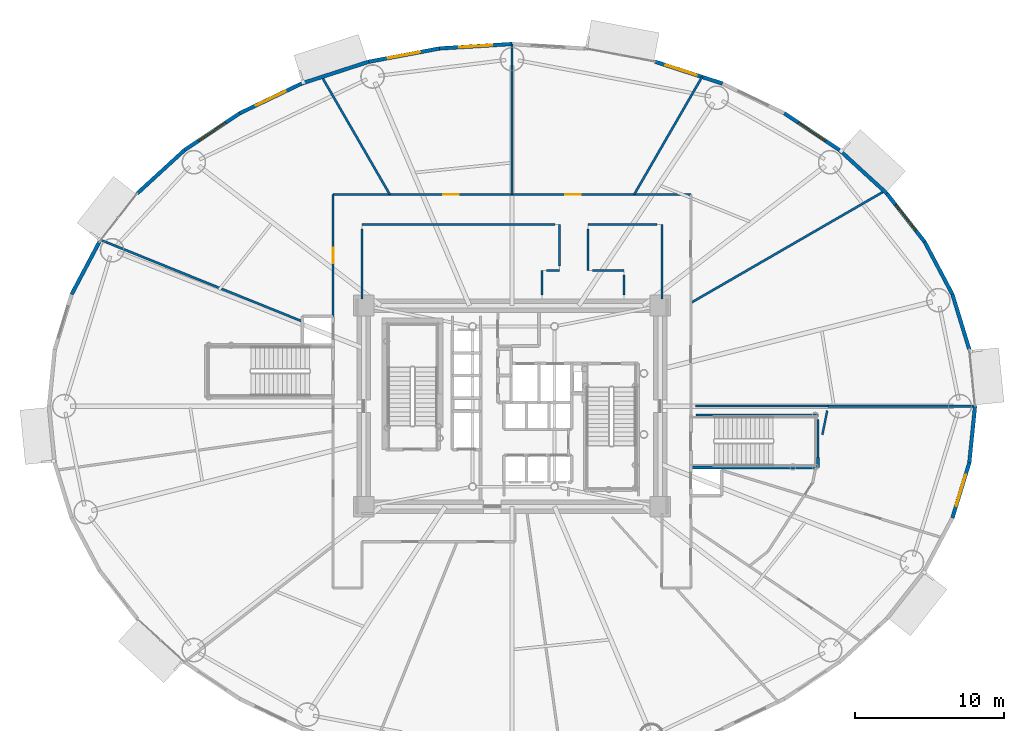
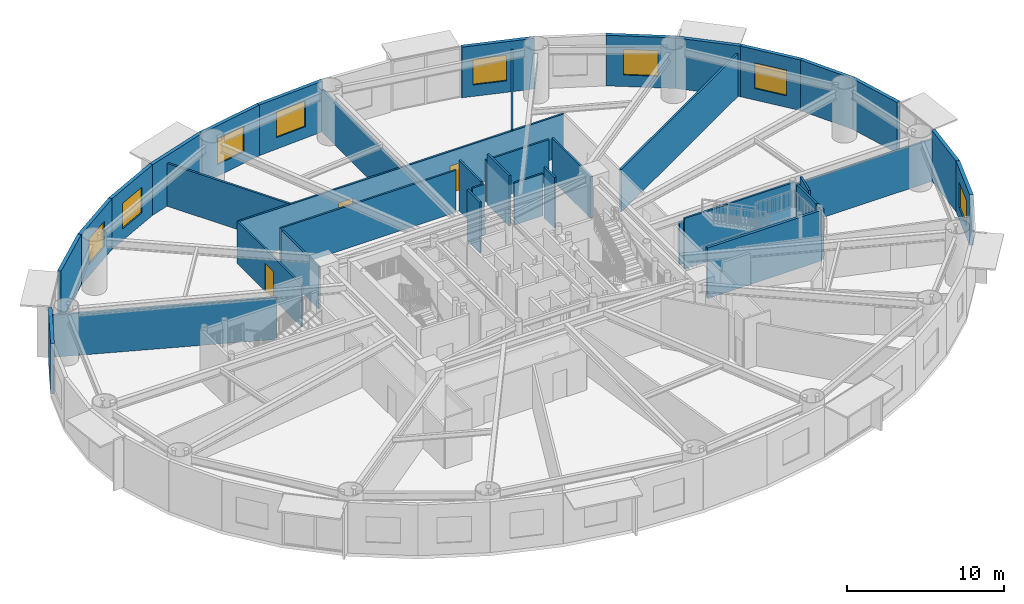
# One storey, part 19 of 32: 39 walls, 8 windows, 3 doors, 11 openings.
"""IFC4 building model written with IfcOpenShell, lengths in metres."""

from ifc_helpers import new_model, si_unit, direction, frame, frame_2d, origin, origin_2d, place, context, subcontext, project, spatial, rectangle, extrude, source, transform, mapped, material, layer, layer_set, type_object, element, fill, save


model = new_model("IFC4")

# Units and contexts
model_context = context("Model", 3, precision=1e-05, world=origin(), true_north=direction((0.0, 1.0)))
body_context = subcontext(model_context, "Body", "Model", "MODEL_VIEW")
ifc_project = project(units=[si_unit("LENGTHUNIT", "METRE"), si_unit("AREAUNIT", "SQUARE_METRE"), si_unit("VOLUMEUNIT", "CUBIC_METRE"), si_unit("PLANEANGLEUNIT", "RADIAN"), si_unit("MASSUNIT", "GRAM", prefix="KILO")], contexts=[model_context])

# Site, building, storey
site_placement = place(None, origin())
site = spatial("IfcSite", under=ifc_project, at=site_placement, CompositionType="ELEMENT")
building_placement = place(site_placement, origin())
building = spatial("IfcBuilding", under=site, at=building_placement, Name="Linh Dai School and Residence Tower", CompositionType="ELEMENT")
storey_placement = place(building_placement, frame((0.0, 0.0, 40.800048828125)))
storey = spatial("IfcBuildingStorey", under=building, at=storey_placement, Name="L09", CompositionType="ELEMENT", Elevation=40.800048828125)

# Walls
ifc_material_1 = material(Name="Precast Concrete B45 (C35/45)", Category="concrete")
ifc_layer_1 = layer(ifc_material_1, 0.25)
ifc_layer_set_1 = layer_set([ifc_layer_1], Name="Precast Concrete B45 (C35/45)")
wall_type_1 = type_object("IfcWallType", Name="EW-TC-250", PredefinedType="SOLIDWALL", material=ifc_layer_set_1)
wall_1_placement = place(storey_placement, frame((65.5576171875, 34.50146484375, 0.0), z_axis=(0.0, 0.0, 1.0), x_axis=(0.293111631758, -0.956078224482, 0.0)))
element("IfcWall", 1, at=wall_1_placement, inside=storey, type_object=wall_type_1, Name="L09 Terracotta Exterior Wall 02", PredefinedType="SOLIDWALL", context=body_context, shape_type="SweptSolid", body=[
    extrude(rectangle(XDim=3.874755859375, YDim=0.25, at=frame_2d((1.9375, 0.0))), origin(), (0.0, 0.0, 1.0), 3.949951171875),
])
wall_2_placement = place(storey_placement, frame((63.694580078125, 38.022705078125, 0.0), z_axis=(0.0, 0.0, 1.0), x_axis=(0.467662443071, -0.883907144072, 0.0)))
element("IfcWall", 2, at=wall_2_placement, inside=storey, type_object=wall_type_1, Name="L09 Terracotta Exterior Wall 03", PredefinedType="SOLIDWALL", context=body_context, shape_type="SweptSolid", body=[
    extrude(rectangle(XDim=3.983642578125, YDim=0.25, at=frame_2d((1.99169921875, 0.0))), origin(), (0.0, 0.0, 1.0), 3.949951171875),
])

# Wall, opening, window
wall_3_placement = place(storey_placement, frame((61.149658203125, 41.274658203125, 0.0), z_axis=(0.0, 0.0, 1.0), x_axis=(0.616295508253, -0.787514981767, 0.0)))
wall_3 = element("IfcWall", 3, at=wall_3_placement, inside=storey, type_object=wall_type_1, Name="L09 Terracotta Exterior Wall 04", PredefinedType="SOLIDWALL", context=body_context, shape_type="SweptSolid", body=[
    extrude(rectangle(XDim=4.12939453125, YDim=0.25, at=frame_2d((2.064697265625, 0.0))), origin(), (0.0, 0.0, 1.0), 3.949951171875),
])
opening_1_placement = place(wall_3_placement, frame((0.964599609375, 0.0, 0.89990234375)))
opening_1 = element("IfcOpeningElement", 4, at=opening_1_placement, cuts=wall_3, Name="Opening W4", PredefinedType="OPENING", context=body_context, shape_type="SweptSolid", body=[
    extrude(rectangle(XDim=2.199951171875, YDim=2.0, at=origin_2d()), frame((1.10009765625, 0.135009765625, 1.0), z_axis=(0.0, -1.0, 0.0), x_axis=(1.0, 0.0, 0.0)), (0.0, 0.0, 1.0), 0.27001953125),
])
ifc_material_2 = material(Name="Acoustic Laminated Low-E Glazing", Category="glass")
window_type = type_object("IfcWindowType", Name="WN-SCH-2200x2000", PartitioningType="TRIPLE_PANEL_VERTICAL", PredefinedType="WINDOW", material=ifc_material_2)
shared_shape_1 = source(origin(), body_context, "Body", "SweptSolid", [
    extrude(rectangle(XDim=2.199951171875, YDim=2.0, at=origin_2d()), frame((1.10009765625, 0.030029296875, 1.0), z_axis=(0.0, -1.0, 0.0), x_axis=(1.0, 0.0, 0.0)), (0.0, 0.0, 1.0), 0.06005859375),
])
window_1_placement = place(opening_1_placement, origin())
window_1 = element("IfcWindow", 5, at=window_1_placement, inside=storey, type_object=window_type, Name="L09 Exterior Window 04.1", OverallHeight=2.0, OverallWidth=2.199951171875, PartitioningType="TRIPLE_PANEL_VERTICAL", PredefinedType="WINDOW", context=body_context, shape_type="MappedRepresentation", body=[
    mapped(shared_shape_1, transform((0.0, 0.0, 0.0), x_axis=(1.0, 0.0, 0.0), y_axis=(0.0, 1.0, 0.0), z_axis=(0.0, 0.0, 1.0), scale=1.0)),
])
fill(opening_1, window_1)

# Wall
wall_4_placement = place(storey_placement, frame((57.984619140625, 44.17626953125, 0.0), z_axis=(0.0, 0.0, 1.0), x_axis=(0.737116376281, -0.67576582321, 0.0)))
element("IfcWall", 6, at=wall_4_placement, inside=storey, type_object=wall_type_1, Name="L09 Terracotta Exterior Wall 05", PredefinedType="SOLIDWALL", context=body_context, shape_type="SweptSolid", body=[
    extrude(rectangle(XDim=4.293701171875, YDim=0.25, at=frame_2d((2.14697265625, 0.0))), origin(), (0.0, 0.0, 1.0), 3.949951171875),
])

# Wall, opening, window
wall_5_placement = place(storey_placement, frame((54.277099609375, 46.65576171875, 0.0), z_axis=(0.0, 0.0, 1.0), x_axis=(0.831240982525, -0.555912249343, 0.0)))
wall_5 = element("IfcWall", 7, at=wall_5_placement, inside=storey, type_object=wall_type_1, Name="L09 Terracotta Exterior Wall 06", PredefinedType="SOLIDWALL", context=body_context, shape_type="SweptSolid", body=[
    extrude(rectangle(XDim=4.460205078125, YDim=0.25, at=frame_2d((2.22998046875, 0.0))), origin(), (0.0, 0.0, 1.0), 3.949951171875),
])
opening_2_placement = place(wall_5_placement, frame((1.1298828125, 0.0, 0.89990234375)))
opening_2 = element("IfcOpeningElement", 8, at=opening_2_placement, cuts=wall_5, Name="Opening W4", PredefinedType="OPENING", context=body_context, shape_type="SweptSolid", body=[
    extrude(rectangle(XDim=2.199951171875, YDim=2.0, at=origin_2d()), frame((1.10009765625, 0.135009765625, 1.0), z_axis=(0.0, -1.0, 0.0), x_axis=(1.0, 0.0, 0.0)), (0.0, 0.0, 1.0), 0.27001953125),
])
window_2_placement = place(opening_2_placement, origin())
window_2 = element("IfcWindow", 9, at=window_2_placement, inside=storey, type_object=window_type, Name="L09 Exterior Window 06.1", OverallHeight=2.0, OverallWidth=2.199951171875, PartitioningType="TRIPLE_PANEL_VERTICAL", PredefinedType="WINDOW", context=body_context, shape_type="MappedRepresentation", body=[
    mapped(shared_shape_1, transform((0.0, 0.0, 0.0), x_axis=(1.0, 0.0, 0.0), y_axis=(0.0, 1.0, 0.0), z_axis=(0.0, 0.0, 1.0), scale=1.0)),
])
fill(opening_2, window_2)

wall_6_placement = place(storey_placement, frame((45.610595703125, 50.11328125, 0.0), z_axis=(0.0, 0.0, 1.0), x_axis=(0.951207699013, -0.308551313946, 0.0)))
wall_6 = element("IfcWall", 10, at=wall_6_placement, inside=storey, type_object=wall_type_1, Name="L09 Terracotta Exterior Wall 08", PredefinedType="SOLIDWALL", context=body_context, shape_type="SweptSolid", body=[
    extrude(rectangle(XDim=4.73876953125, YDim=0.25, at=frame_2d((2.369384765625, 0.0))), origin(), (0.0, 0.0, 1.0), 3.949951171875),
])
opening_3_placement = place(wall_6_placement, frame((0.73388671875, 0.0, 0.89990234375)))
opening_3 = element("IfcOpeningElement", 11, at=opening_3_placement, cuts=wall_6, Name="Opening W4", PredefinedType="OPENING", context=body_context, shape_type="SweptSolid", body=[
    extrude(rectangle(XDim=2.199951171875, YDim=2.0, at=origin_2d()), frame((1.10009765625, 0.135009765625, 1.0), z_axis=(0.0, -1.0, 0.0), x_axis=(1.0, 0.0, 0.0)), (0.0, 0.0, 1.0), 0.27001953125),
])
window_3_placement = place(opening_3_placement, origin())
window_3 = element("IfcWindow", 12, at=window_3_placement, inside=storey, type_object=window_type, Name="L09 Exterior Window 08.1", OverallHeight=2.0, OverallWidth=2.199951171875, PartitioningType="TRIPLE_PANEL_VERTICAL", PredefinedType="WINDOW", context=body_context, shape_type="MappedRepresentation", body=[
    mapped(shared_shape_1, transform((0.0, 0.0, 0.0), x_axis=(1.0, 0.0, 0.0), y_axis=(0.0, 1.0, 0.0), z_axis=(0.0, 0.0, 1.0), scale=1.0)),
])
fill(opening_3, window_3)

wall_7_placement = place(storey_placement, frame((31.134521484375, 51.005126953125, 0.0), z_axis=(0.0, 0.0, 1.0), x_axis=(0.998106954071, 0.061502099433, 0.0)))
wall_7 = element("IfcWall", 13, at=wall_7_placement, inside=storey, type_object=wall_type_1, Name="L09 Terracotta Exterior Wall 11", PredefinedType="SOLIDWALL", context=body_context, shape_type="SweptSolid", body=[
    extrude(rectangle(XDim=4.874755859375, YDim=0.25, at=frame_2d((2.4375, 0.0))), origin(), (0.0, 0.0, 1.0), 3.949951171875),
])
opening_4_placement = place(wall_7_placement, frame((1.33740234375, 0.0, 0.89990234375)))
opening_4 = element("IfcOpeningElement", 14, at=opening_4_placement, cuts=wall_7, Name="Opening W4", PredefinedType="OPENING", context=body_context, shape_type="SweptSolid", body=[
    extrude(rectangle(XDim=2.199951171875, YDim=2.0, at=origin_2d()), frame((1.10009765625, 0.135009765625, 1.0), z_axis=(0.0, -1.0, 0.0), x_axis=(1.0, 0.0, 0.0)), (0.0, 0.0, 1.0), 0.27001953125),
])
window_4_placement = place(opening_4_placement, origin())
window_4 = element("IfcWindow", 15, at=window_4_placement, inside=storey, type_object=window_type, Name="L09 Exterior Window 11.1", OverallHeight=2.0, OverallWidth=2.199951171875, PartitioningType="TRIPLE_PANEL_VERTICAL", PredefinedType="WINDOW", context=body_context, shape_type="MappedRepresentation", body=[
    mapped(shared_shape_1, transform((0.0, 0.0, 0.0), x_axis=(1.0, 0.0, 0.0), y_axis=(0.0, 1.0, 0.0), z_axis=(0.0, 0.0, 1.0), scale=1.0)),
])
fill(opening_4, window_4)

wall_8_placement = place(storey_placement, frame((26.389404296875, 50.11328125, 0.0), z_axis=(0.0, 0.0, 1.0), x_axis=(0.982791952378, 0.184715939598, 0.0)))
wall_8 = element("IfcWall", 16, at=wall_8_placement, inside=storey, type_object=wall_type_1, Name="L09 Terracotta Exterior Wall 12", PredefinedType="SOLIDWALL", context=body_context, shape_type="SweptSolid", body=[
    extrude(rectangle(XDim=4.828125, YDim=0.25, at=frame_2d((2.4140625, 0.0))), origin(), (0.0, 0.0, 1.0), 3.949951171875),
])
opening_5_placement = place(wall_8_placement, frame((1.314208984375, 0.0, 0.89990234375)))
opening_5 = element("IfcOpeningElement", 17, at=opening_5_placement, cuts=wall_8, Name="Opening W4", PredefinedType="OPENING", context=body_context, shape_type="SweptSolid", body=[
    extrude(rectangle(XDim=2.199951171875, YDim=2.0, at=origin_2d()), frame((1.10009765625, 0.135009765625, 1.0), z_axis=(0.0, -1.0, 0.0), x_axis=(1.0, 0.0, 0.0)), (0.0, 0.0, 1.0), 0.27001953125),
])
window_5_placement = place(opening_5_placement, origin())
window_5 = element("IfcWindow", 18, at=window_5_placement, inside=storey, type_object=window_type, Name="L09 Exterior Window 12.1", OverallHeight=2.0, OverallWidth=2.199951171875, PartitioningType="TRIPLE_PANEL_VERTICAL", PredefinedType="WINDOW", context=body_context, shape_type="MappedRepresentation", body=[
    mapped(shared_shape_1, transform((0.0, 0.0, 0.0), x_axis=(1.0, 0.0, 0.0), y_axis=(0.0, 1.0, 0.0), z_axis=(0.0, 0.0, 1.0), scale=1.0)),
])
fill(opening_5, window_5)

# Wall
wall_9_placement = place(storey_placement, frame((21.8818359375, 48.651123046875, 0.0), z_axis=(0.0, 0.0, 1.0), x_axis=(0.951207699013, 0.308551313946, 0.0)))
element("IfcWall", 19, at=wall_9_placement, inside=storey, type_object=wall_type_1, Name="L09 Terracotta Exterior Wall 13", PredefinedType="SOLIDWALL", context=body_context, shape_type="SweptSolid", body=[
    extrude(rectangle(XDim=4.73876953125, YDim=0.25, at=frame_2d((2.369384765625, 0.0))), origin(), (0.0, 0.0, 1.0), 3.949951171875),
])

# Wall, opening, window
wall_10_placement = place(storey_placement, frame((17.722900390625, 46.65576171875, 0.0), z_axis=(0.0, 0.0, 1.0), x_axis=(0.901601503137, 0.432567601123, 0.0)))
wall_10 = element("IfcWall", 20, at=wall_10_placement, inside=storey, type_object=wall_type_1, Name="L09 Terracotta Exterior Wall 14", PredefinedType="SOLIDWALL", context=body_context, shape_type="SweptSolid", body=[
    extrude(rectangle(XDim=4.61279296875, YDim=0.25, at=frame_2d((2.306396484375, 0.0))), origin(), (0.0, 0.0, 1.0), 3.949951171875),
])
opening_6_placement = place(wall_10_placement, frame((1.20654296875, 0.0, 0.89990234375)))
opening_6 = element("IfcOpeningElement", 21, at=opening_6_placement, cuts=wall_10, Name="Opening W4", PredefinedType="OPENING", context=body_context, shape_type="SweptSolid", body=[
    extrude(rectangle(XDim=2.199951171875, YDim=2.0, at=origin_2d()), frame((1.10009765625, 0.135009765625, 1.0), z_axis=(0.0, -1.0, 0.0), x_axis=(1.0, 0.0, 0.0)), (0.0, 0.0, 1.0), 0.27001953125),
])
window_6_placement = place(opening_6_placement, origin())
window_6 = element("IfcWindow", 22, at=window_6_placement, inside=storey, type_object=window_type, Name="L09 Exterior Window 14.1", OverallHeight=2.0, OverallWidth=2.199951171875, PartitioningType="TRIPLE_PANEL_VERTICAL", PredefinedType="WINDOW", context=body_context, shape_type="MappedRepresentation", body=[
    mapped(shared_shape_1, transform((0.0, 0.0, 0.0), x_axis=(1.0, 0.0, 0.0), y_axis=(0.0, 1.0, 0.0), z_axis=(0.0, 0.0, 1.0), scale=1.0)),
])
fill(opening_6, window_6)

wall_11_placement = place(storey_placement, frame((14.015380859375, 44.17626953125, 0.0), z_axis=(0.0, 0.0, 1.0), x_axis=(0.831240982525, 0.555912249343, 0.0)))
wall_11 = element("IfcWall", 23, at=wall_11_placement, inside=storey, type_object=wall_type_1, Name="L09 Terracotta Exterior Wall 15", PredefinedType="SOLIDWALL", context=body_context, shape_type="SweptSolid", body=[
    extrude(rectangle(XDim=4.460205078125, YDim=0.25, at=frame_2d((2.22998046875, 0.0))), origin(), (0.0, 0.0, 1.0), 3.949951171875),
])
opening_7_placement = place(wall_11_placement, frame((1.13037109375, 0.0, 0.89990234375)))
opening_7 = element("IfcOpeningElement", 24, at=opening_7_placement, cuts=wall_11, Name="Opening W4", PredefinedType="OPENING", context=body_context, shape_type="SweptSolid", body=[
    extrude(rectangle(XDim=2.199951171875, YDim=2.0, at=origin_2d()), frame((1.10009765625, 0.135009765625, 1.0), z_axis=(0.0, -1.0, 0.0), x_axis=(1.0, 0.0, 0.0)), (0.0, 0.0, 1.0), 0.27001953125),
])
window_7_placement = place(opening_7_placement, origin())
window_7 = element("IfcWindow", 25, at=window_7_placement, inside=storey, type_object=window_type, Name="L09 Exterior Window 15.1", OverallHeight=2.0, OverallWidth=2.199951171875, PartitioningType="TRIPLE_PANEL_VERTICAL", PredefinedType="WINDOW", context=body_context, shape_type="MappedRepresentation", body=[
    mapped(shared_shape_1, transform((0.0, 0.0, 0.0), x_axis=(1.0, 0.0, 0.0), y_axis=(0.0, 1.0, 0.0), z_axis=(0.0, 0.0, 1.0), scale=1.0)),
])
fill(opening_7, window_7)

# Walls
wall_12_placement = place(storey_placement, frame((10.850341796875, 41.274658203125, 0.0), z_axis=(0.0, 0.0, 1.0), x_axis=(0.737116376281, 0.67576582321, 0.0)))
element("IfcWall", 26, at=wall_12_placement, inside=storey, type_object=wall_type_1, Name="L09 Terracotta Exterior Wall 16", PredefinedType="SOLIDWALL", context=body_context, shape_type="SweptSolid", body=[
    extrude(rectangle(XDim=4.293701171875, YDim=0.25, at=frame_2d((2.14697265625, 0.0))), origin(), (0.0, 0.0, 1.0), 3.949951171875),
])
wall_13_placement = place(storey_placement, frame((6.4423828125, 34.50146484375, 0.0), z_axis=(0.0, 0.0, 1.0), x_axis=(0.467662443071, 0.883907144072, 0.0)))
element("IfcWall", 27, at=wall_13_placement, inside=storey, type_object=wall_type_1, Name="L09 Terracotta Exterior Wall 18", PredefinedType="SOLIDWALL", context=body_context, shape_type="SweptSolid", body=[
    extrude(rectangle(XDim=3.983642578125, YDim=0.25, at=frame_2d((1.99169921875, 0.0))), origin(), (0.0, 0.0, 1.0), 3.949951171875),
])

# Wall, opening, window
wall_14_placement = place(storey_placement, frame((66.693359375, 23.203125, 0.0), z_axis=(0.0, 0.0, 1.0), x_axis=(-0.293111631758, -0.956078224482, 0.0)))
wall_14 = element("IfcWall", 28, at=wall_14_placement, inside=storey, type_object=wall_type_1, Name="L09 Terracotta Exterior Wall 39", PredefinedType="SOLIDWALL", context=body_context, shape_type="SweptSolid", body=[
    extrude(rectangle(XDim=3.874755859375, YDim=0.25, at=frame_2d((1.9375, 0.0))), origin(), (0.0, 0.0, 1.0), 3.949951171875),
])
opening_8_placement = place(wall_14_placement, frame((0.83740234375, 0.0, 0.89990234375)))
opening_8 = element("IfcOpeningElement", 29, at=opening_8_placement, cuts=wall_14, Name="Opening W4", PredefinedType="OPENING", context=body_context, shape_type="SweptSolid", body=[
    extrude(rectangle(XDim=2.199951171875, YDim=2.0, at=origin_2d()), frame((1.10009765625, 0.135009765625, 1.0), z_axis=(0.0, -1.0, 0.0), x_axis=(1.0, 0.0, 0.0)), (0.0, 0.0, 1.0), 0.27001953125),
])
window_8_placement = place(opening_8_placement, origin())
window_8 = element("IfcWindow", 30, at=window_8_placement, inside=storey, type_object=window_type, Name="L09 Exterior Window 39.1", OverallHeight=2.0, OverallWidth=2.199951171875, PartitioningType="TRIPLE_PANEL_VERTICAL", PredefinedType="WINDOW", context=body_context, shape_type="MappedRepresentation", body=[
    mapped(shared_shape_1, transform((0.0, 0.0, 0.0), x_axis=(1.0, 0.0, 0.0), y_axis=(0.0, 1.0, 0.0), z_axis=(0.0, 0.0, 1.0), scale=1.0)),
])
fill(opening_8, window_8)

# Wall
wall_15_placement = place(storey_placement, frame((67.074951171875, 27.0, 0.0), z_axis=(0.0, 0.0, 1.0), x_axis=(-0.099997795174, -0.994987658698, 0.0)))
element("IfcWall", 31, at=wall_15_placement, inside=storey, type_object=wall_type_1, Name="L09 Terracotta Exterior Wall 40", PredefinedType="SOLIDWALL", context=body_context, shape_type="SweptSolid", body=[
    extrude(rectangle(XDim=3.81591796875, YDim=0.25, at=frame_2d((1.907958984375, 0.0))), origin(), (0.0, 0.0, 1.0), 3.949951171875),
])

# Wall, opening, door
ifc_material_3 = material(Name="Autoclaved Aerated Concrete Blockwork", Category="masonry")
ifc_layer_2 = layer(ifc_material_3, 0.135009765625)
ifc_layer_set_2 = layer_set([ifc_layer_2], Name="Autoclaved Aerated Concrete Blockwork")
wall_type_2 = type_object("IfcWallType", Name="IW-CORR-135-EI90", PredefinedType="PARTITIONING", material=ifc_layer_set_2)
wall_16_placement = place(storey_placement, frame((24.0, 33.010009765625, 0.0), z_axis=(0.0, 0.0, 1.0), x_axis=(0.0, 1.0, 0.0)))
wall_16 = element("IfcWall", 32, at=wall_16_placement, inside=storey, type_object=wall_type_2, Name="L09 Interior Partition Wall 013", PredefinedType="PARTITIONING", context=body_context, shape_type="SweptSolid", body=[
    extrude(rectangle(XDim=8.18994140625, YDim=0.135009765625, at=frame_2d((4.094970703125, 0.0))), origin(), (0.0, 0.0, 1.0), 3.284912109375),
])
opening_9_placement = place(wall_16_placement, frame((3.570068359375, 0.0, 0.0)))
opening_9 = element("IfcOpeningElement", 33, at=opening_9_placement, cuts=wall_16, Name="Opening D04", PredefinedType="OPENING", context=body_context, shape_type="SweptSolid", body=[
    extrude(rectangle(XDim=1.050048828125, YDim=2.14990234375, at=origin_2d()), frame((0.52490234375, 0.07763671875, 1.074951171875), z_axis=(0.0, -1.0, 0.0), x_axis=(1.0, 0.0, 0.0)), (0.0, 0.0, 1.0), 0.155029296875),
])
ifc_material_4 = material(Name="Acoustic Vision-Panel Timber Classroom Door", Category="wood")
door_type = type_object("IfcDoorType", Name="DR-SCH-1050x2150-FD60S", OperationType="NOTDEFINED", PredefinedType="DOOR", material=ifc_material_4)
shared_shape_2 = source(origin(), body_context, "Body", "SweptSolid", [
    extrude(rectangle(XDim=1.050048828125, YDim=2.14990234375, at=origin_2d()), frame((0.52490234375, 0.02490234375, 1.074951171875), z_axis=(0.0, -1.0, 0.0), x_axis=(1.0, 0.0, 0.0)), (0.0, 0.0, 1.0), 0.050048828125),
])
door_1_placement = place(opening_9_placement, origin())
door_1 = element("IfcDoor", 34, at=door_1_placement, inside=storey, type_object=door_type, Name="L09 Fine Art Painting Studio Door", OperationType="SINGLE_SWING_LEFT", OverallHeight=2.14990234375, OverallWidth=1.050048828125, PredefinedType="DOOR", context=body_context, shape_type="MappedRepresentation", body=[
    mapped(shared_shape_2, transform((0.0, 0.0, 0.0), x_axis=(1.0, 0.0, 0.0), y_axis=(0.0, 1.0, 0.0), z_axis=(0.0, 0.0, 1.0), scale=1.0)),
])
fill(opening_9, door_1)

# Wall, openings, doors
wall_17_placement = place(storey_placement, frame((24.0, 41.199951171875, 0.0), z_axis=(0.0, 0.0, 1.0), x_axis=(1.0, 0.0, 0.0)))
wall_17 = element("IfcWall", 35, at=wall_17_placement, inside=storey, type_object=wall_type_2, Name="L09 Interior Partition Wall 014", PredefinedType="PARTITIONING", context=body_context, shape_type="SweptSolid", body=[
    extrude(rectangle(XDim=24.0, YDim=0.135009765625, at=frame_2d((12.0, 0.0))), origin(), (0.0, 0.0, 1.0), 3.284912109375),
])
opening_10_placement = place(wall_17_placement, frame((15.57421875, 0.0, 0.0)))
opening_10 = element("IfcOpeningElement", 36, at=opening_10_placement, cuts=wall_17, Name="Opening D04", PredefinedType="OPENING", context=body_context, shape_type="SweptSolid", body=[
    extrude(rectangle(XDim=1.050048828125, YDim=2.14990234375, at=origin_2d()), frame((0.52490234375, 0.07763671875, 1.074951171875), z_axis=(0.0, -1.0, 0.0), x_axis=(1.0, 0.0, 0.0)), (0.0, 0.0, 1.0), 0.155029296875),
])
opening_11_placement = place(wall_17_placement, frame((7.375732421875, 0.0, 0.0)))
opening_11 = element("IfcOpeningElement", 37, at=opening_11_placement, cuts=wall_17, Name="Opening D04", PredefinedType="OPENING", context=body_context, shape_type="SweptSolid", body=[
    extrude(rectangle(XDim=1.050048828125, YDim=2.14990234375, at=origin_2d()), frame((0.52490234375, 0.07763671875, 1.074951171875), z_axis=(0.0, -1.0, 0.0), x_axis=(1.0, 0.0, 0.0)), (0.0, 0.0, 1.0), 0.155029296875),
])
door_2_placement = place(opening_10_placement, origin())
door_2 = element("IfcDoor", 38, at=door_2_placement, inside=storey, type_object=door_type, Name="L09 Secondary Classroom 3 Door", OperationType="SINGLE_SWING_LEFT", OverallHeight=2.14990234375, OverallWidth=1.050048828125, PredefinedType="DOOR", context=body_context, shape_type="MappedRepresentation", body=[
    mapped(shared_shape_2, transform((0.0, 0.0, 0.0), x_axis=(1.0, 0.0, 0.0), y_axis=(0.0, 1.0, 0.0), z_axis=(0.0, 0.0, 1.0), scale=1.0)),
])
fill(opening_10, door_2)
door_3_placement = place(opening_11_placement, origin())
door_3 = element("IfcDoor", 39, at=door_3_placement, inside=storey, type_object=door_type, Name="L09 Secondary Classroom 4 Door", OperationType="SINGLE_SWING_RIGHT", OverallHeight=2.14990234375, OverallWidth=1.050048828125, PredefinedType="DOOR", context=body_context, shape_type="MappedRepresentation", body=[
    mapped(shared_shape_2, transform((0.0, 0.0, 0.0), x_axis=(1.0, 0.0, 0.0), y_axis=(0.0, 1.0, 0.0), z_axis=(0.0, 0.0, 1.0), scale=1.0)),
])
fill(opening_11, door_3)

# Walls
wall_18_placement = place(storey_placement, frame((48.360107421875, 26.419921875, 0.0), z_axis=(0.0, 0.0, 1.0), x_axis=(1.0, 0.0, 0.0)))
element("IfcWall", 40, at=wall_18_placement, inside=storey, type_object=wall_type_2, Name="L09 Interior Partition Wall 085", PredefinedType="PARTITIONING", context=body_context, shape_type="SweptSolid", body=[
    extrude(rectangle(XDim=8.159912109375, YDim=0.135009765625, at=frame_2d((4.080078125, 0.0))), origin(), (0.0, 0.0, 1.0), 3.949951171875),
])
wall_19_placement = place(storey_placement, frame((56.52001953125, 26.112548828125, 0.0), z_axis=(0.0, 0.0, 1.0), x_axis=(0.0, -1.0, 0.0)))
element("IfcWall", 41, at=wall_19_placement, inside=storey, type_object=wall_type_2, Name="L09 Interior Partition Wall 086", PredefinedType="PARTITIONING", context=body_context, shape_type="SweptSolid", body=[
    extrude(rectangle(XDim=2.54345703125, YDim=0.135009765625, at=frame_2d((1.271728515625, 0.0))), origin(), (0.0, 0.0, 1.0), 3.949951171875),
])
wall_20_placement = place(storey_placement, frame((46.050048828125, 34.199951171875, 0.0), z_axis=(0.0, 0.0, 1.0), x_axis=(0.0, 1.0, 0.0)))
element("IfcWall", 42, at=wall_20_placement, inside=storey, type_object=wall_type_2, Name="L09 Interior Partition Wall 091", PredefinedType="PARTITIONING", context=body_context, shape_type="SweptSolid", body=[
    extrude(rectangle(XDim=5.0, YDim=0.135009765625, at=frame_2d((2.5, 0.0))), origin(), (0.0, 0.0, 1.0), 3.284912109375),
])
wall_21_placement = place(storey_placement, frame((45.742431640625, 39.199951171875, 0.0), z_axis=(0.0, 0.0, 1.0), x_axis=(-1.0, 0.0, 0.0)))
element("IfcWall", 43, at=wall_21_placement, inside=storey, type_object=wall_type_2, Name="L09 Interior Partition Wall 092", PredefinedType="PARTITIONING", context=body_context, shape_type="SweptSolid", body=[
    extrude(rectangle(XDim=4.642333984375, YDim=0.135009765625, at=frame_2d((2.3212890625, 0.0))), origin(), (0.0, 0.0, 1.0), 3.284912109375),
])
wall_22_placement = place(storey_placement, frame((41.10009765625, 38.892578125, 0.0), z_axis=(0.0, 0.0, 1.0), x_axis=(0.0, -1.0, 0.0)))
element("IfcWall", 44, at=wall_22_placement, inside=storey, type_object=wall_type_2, Name="L09 Interior Partition Wall 093", PredefinedType="PARTITIONING", context=body_context, shape_type="SweptSolid", body=[
    extrude(rectangle(XDim=2.79248046875, YDim=0.135009765625, at=frame_2d((1.396240234375, 0.0))), origin(), (0.0, 0.0, 1.0), 3.949951171875),
])
wall_23_placement = place(storey_placement, frame((41.407470703125, 36.10009765625, 0.0), z_axis=(0.0, 0.0, 1.0), x_axis=(1.0, 0.0, 0.0)))
element("IfcWall", 45, at=wall_23_placement, inside=storey, type_object=wall_type_2, Name="L09 Interior Partition Wall 094", PredefinedType="PARTITIONING", context=body_context, shape_type="SweptSolid", body=[
    extrude(rectangle(XDim=2.092529296875, YDim=0.135009765625, at=frame_2d((1.04638671875, 0.0))), origin(), (0.0, 0.0, 1.0), 3.284912109375),
])
wall_24_placement = place(storey_placement, frame((43.5, 35.79248046875, 0.0), z_axis=(0.0, 0.0, 1.0), x_axis=(0.0, -1.0, 0.0)))
element("IfcWall", 46, at=wall_24_placement, inside=storey, type_object=wall_type_2, Name="L09 Interior Partition Wall 095", PredefinedType="PARTITIONING", context=body_context, shape_type="SweptSolid", body=[
    extrude(rectangle(XDim=1.33251953125, YDim=0.135009765625, at=frame_2d((0.666259765625, 0.0))), origin(), (0.0, 0.0, 1.0), 3.949951171875),
])
wall_25_placement = place(storey_placement, frame((38.0, 34.4599609375, 0.0), z_axis=(0.0, 0.0, 1.0), x_axis=(0.0, 1.0, 0.0)))
element("IfcWall", 47, at=wall_25_placement, inside=storey, type_object=wall_type_2, Name="L09 Interior Partition Wall 096", PredefinedType="PARTITIONING", context=body_context, shape_type="SweptSolid", body=[
    extrude(rectangle(XDim=1.64013671875, YDim=0.135009765625, at=frame_2d((0.820068359375, 0.0))), origin(), (0.0, 0.0, 1.0), 3.949951171875),
])
wall_26_placement = place(storey_placement, frame((38.3076171875, 36.10009765625, 0.0), z_axis=(0.0, 0.0, 1.0), x_axis=(1.0, 0.0, 0.0)))
element("IfcWall", 48, at=wall_26_placement, inside=storey, type_object=wall_type_2, Name="L09 Interior Partition Wall 097", PredefinedType="PARTITIONING", context=body_context, shape_type="SweptSolid", body=[
    extrude(rectangle(XDim=0.892333984375, YDim=0.135009765625, at=frame_2d((0.4462890625, 0.0))), origin(), (0.0, 0.0, 1.0), 3.949951171875),
])
wall_27_placement = place(storey_placement, frame((39.199951171875, 36.407470703125, 0.0), z_axis=(0.0, 0.0, 1.0), x_axis=(0.0, 1.0, 0.0)))
element("IfcWall", 49, at=wall_27_placement, inside=storey, type_object=wall_type_2, Name="L09 Interior Partition Wall 098", PredefinedType="PARTITIONING", context=body_context, shape_type="SweptSolid", body=[
    extrude(rectangle(XDim=2.79248046875, YDim=0.135009765625, at=frame_2d((1.396240234375, 0.0))), origin(), (0.0, 0.0, 1.0), 3.949951171875),
])
wall_28_placement = place(storey_placement, frame((38.892578125, 39.199951171875, 0.0), z_axis=(0.0, 0.0, 1.0), x_axis=(-1.0, 0.0, 0.0)))
element("IfcWall", 50, at=wall_28_placement, inside=storey, type_object=wall_type_2, Name="L09 Interior Partition Wall 099", PredefinedType="PARTITIONING", context=body_context, shape_type="SweptSolid", body=[
    extrude(rectangle(XDim=12.942626953125, YDim=0.135009765625, at=frame_2d((6.47119140625, 0.0))), origin(), (0.0, 0.0, 1.0), 3.284912109375),
])
wall_29_placement = place(storey_placement, frame((25.949951171875, 38.892578125, 0.0), z_axis=(0.0, 0.0, 1.0), x_axis=(0.0, -1.0, 0.0)))
element("IfcWall", 51, at=wall_29_placement, inside=storey, type_object=wall_type_2, Name="L09 Interior Partition Wall 100", PredefinedType="PARTITIONING", context=body_context, shape_type="SweptSolid", body=[
    extrude(rectangle(XDim=4.692626953125, YDim=0.135009765625, at=frame_2d((2.34619140625, 0.0))), origin(), (0.0, 0.0, 1.0), 3.284912109375),
])
wall_30_placement = place(storey_placement, frame((57.2060546875, 27.0, 0.0), z_axis=(0.0, 0.0, 1.0), x_axis=(-1.0, 0.0, 0.0)))
element("IfcWall", 52, at=wall_30_placement, inside=storey, type_object=wall_type_2, Name="L09 Interior Partition Wall 104", PredefinedType="PARTITIONING", context=body_context, shape_type="SweptSolid", body=[
    extrude(rectangle(XDim=8.878662109375, YDim=0.135009765625, at=frame_2d((4.439453125, 0.0))), origin(), (0.0, 0.0, 1.0), 3.284912109375),
])
wall_31_placement = place(storey_placement, frame((56.827392578125, 25.079345703125, 0.0), z_axis=(0.0, 0.0, 1.0), x_axis=(0.198340845342, 0.980133107832, 0.0)))
element("IfcWall", 53, at=wall_31_placement, inside=storey, type_object=wall_type_2, Name="L09 Interior Partition Wall 106", PredefinedType="PARTITIONING", context=body_context, shape_type="SweptSolid", body=[
    extrude(rectangle(XDim=1.645751953125, YDim=0.135009765625, at=frame_2d((0.82275390625, 0.0))), origin(), (0.0, 0.0, 1.0), 3.949951171875),
])
ifc_layer_3 = layer(ifc_material_3, 0.14990234375)
ifc_layer_set_3 = layer_set([ifc_layer_3], Name="Autoclaved Aerated Concrete Blockwork")
wall_type_3 = type_object("IfcWallType", Name="IW-SCH-150-EI60", PredefinedType="PARTITIONING", material=ifc_layer_set_3)
wall_32_placement = place(storey_placement, frame((8.399658203125, 38.1513671875, 0.0), z_axis=(0.0, 0.0, 1.0), x_axis=(0.927179581649, -0.374617169084, 0.0)))
element("IfcWall", 54, at=wall_32_placement, inside=storey, type_object=wall_type_3, Name="L09 Interior Partition Wall 002", PredefinedType="PARTITIONING", context=body_context, shape_type="SweptSolid", body=[
    extrude(rectangle(XDim=14.614501953125, YDim=0.14990234375, at=frame_2d((7.30712890625, 0.0))), origin(), (0.0, 0.0, 1.0), 3.284912109375),
])
wall_33_placement = place(storey_placement, frame((23.241943359375, 49.09765625, 0.0), z_axis=(0.0, 0.0, 1.0), x_axis=(0.499985867395, -0.866033563094, 0.0)))
element("IfcWall", 55, at=wall_33_placement, inside=storey, type_object=wall_type_3, Name="L09 Interior Partition Wall 009", PredefinedType="PARTITIONING", context=body_context, shape_type="SweptSolid", body=[
    extrude(rectangle(XDim=9.119384765625, YDim=0.14990234375, at=frame_2d((4.5595703125, 0.0))), origin(), (0.0, 0.0, 1.0), 3.3349609375),
])
wall_34_placement = place(storey_placement, frame((36.0, 41.199951171875, 0.0), z_axis=(0.0, 0.0, 1.0), x_axis=(0.0, 1.0, 0.0)))
element("IfcWall", 56, at=wall_34_placement, inside=storey, type_object=wall_type_3, Name="L09 Interior Partition Wall 040", PredefinedType="PARTITIONING", context=body_context, shape_type="SweptSolid", body=[
    extrude(rectangle(XDim=10.110107421875, YDim=0.14990234375, at=frame_2d((5.05517578125, 0.0))), origin(), (0.0, 0.0, 1.0), 3.284912109375),
])
wall_35_placement = place(storey_placement, frame((44.198486328125, 41.199951171875, 0.0), z_axis=(0.0, 0.0, 1.0), x_axis=(0.499985867395, 0.866033563094, 0.0)))
element("IfcWall", 57, at=wall_35_placement, inside=storey, type_object=wall_type_3, Name="L09 Interior Partition Wall 056", PredefinedType="PARTITIONING", context=body_context, shape_type="SweptSolid", body=[
    extrude(rectangle(XDim=9.119384765625, YDim=0.14990234375, at=frame_2d((4.5595703125, 0.0))), origin(), (0.0, 0.0, 1.0), 3.3349609375),
])
wall_36_placement = place(storey_placement, frame((48.0, 33.92822265625, 0.0), z_axis=(0.0, 0.0, 1.0), x_axis=(0.86602186862, 0.500006123034, 0.0)))
element("IfcWall", 58, at=wall_36_placement, inside=storey, type_object=wall_type_3, Name="L09 Interior Partition Wall 067", PredefinedType="PARTITIONING", context=body_context, shape_type="SweptSolid", body=[
    extrude(rectangle(XDim=14.999267578125, YDim=0.14990234375, at=frame_2d((7.49951171875, 0.0))), origin(), (0.0, 0.0, 1.0), 3.3349609375),
])
wall_37_placement = place(storey_placement, frame((57.216064453125, 27.0, 0.0), z_axis=(0.0, 0.0, 1.0), x_axis=(1.0, 0.0, 0.0)))
element("IfcWall", 59, at=wall_37_placement, inside=storey, type_object=wall_type_3, Name="L09 Interior Partition Wall 074", PredefinedType="PARTITIONING", context=body_context, shape_type="SweptSolid", body=[
    extrude(rectangle(XDim=9.864013671875, YDim=0.14990234375, at=frame_2d((4.93212890625, 0.0))), origin(), (0.0, 0.0, 1.0), 3.284912109375),
])
ifc_material_5 = material(Name="Concrete B45 (C35/45)", Category="concrete")
ifc_layer_4 = layer(ifc_material_5, 0.199951171875)
ifc_layer_set_4 = layer_set([ifc_layer_4], Name="Concrete B45 (C35/45)")
wall_type_4 = type_object("IfcWallType", Name="IW-SHAFT-200-EI120", PredefinedType="PARTITIONING", material=ifc_layer_set_4)
wall_38_placement = place(storey_placement, frame((48.0, 22.8798828125, 0.0), z_axis=(0.0, 0.0, 1.0), x_axis=(1.0, 0.0, 0.0)))
element("IfcWall", 60, at=wall_38_placement, inside=storey, type_object=wall_type_4, Name="L09 Interior Partition Wall 065", PredefinedType="PARTITIONING", context=body_context, shape_type="SweptSolid", body=[
    extrude(rectangle(XDim=8.382568359375, YDim=0.199951171875, at=frame_2d((4.19140625, 0.0))), origin(), (0.0, 0.0, 1.0), 3.949951171875),
])
wall_39_placement = place(storey_placement, frame((56.52001953125, 22.8798828125, 0.0), z_axis=(0.0, 0.0, 1.0), x_axis=(0.0, 1.0, 0.0)))
element("IfcWall", 61, at=wall_39_placement, inside=storey, type_object=wall_type_4, Name="L09 Interior Partition Wall 073", PredefinedType="PARTITIONING", context=body_context, shape_type="SweptSolid", body=[
    extrude(rectangle(XDim=0.67919921875, YDim=0.199951171875, at=frame_2d((0.339599609375, 0.0))), origin(), (0.0, 0.0, 1.0), 3.949951171875),
])

save(model, "model.ifc")
